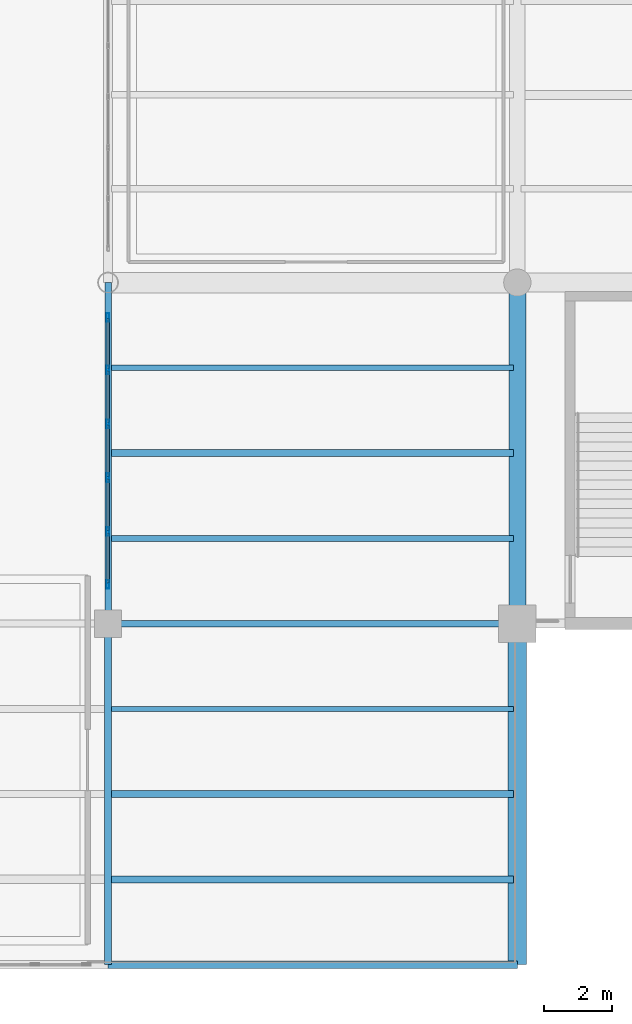
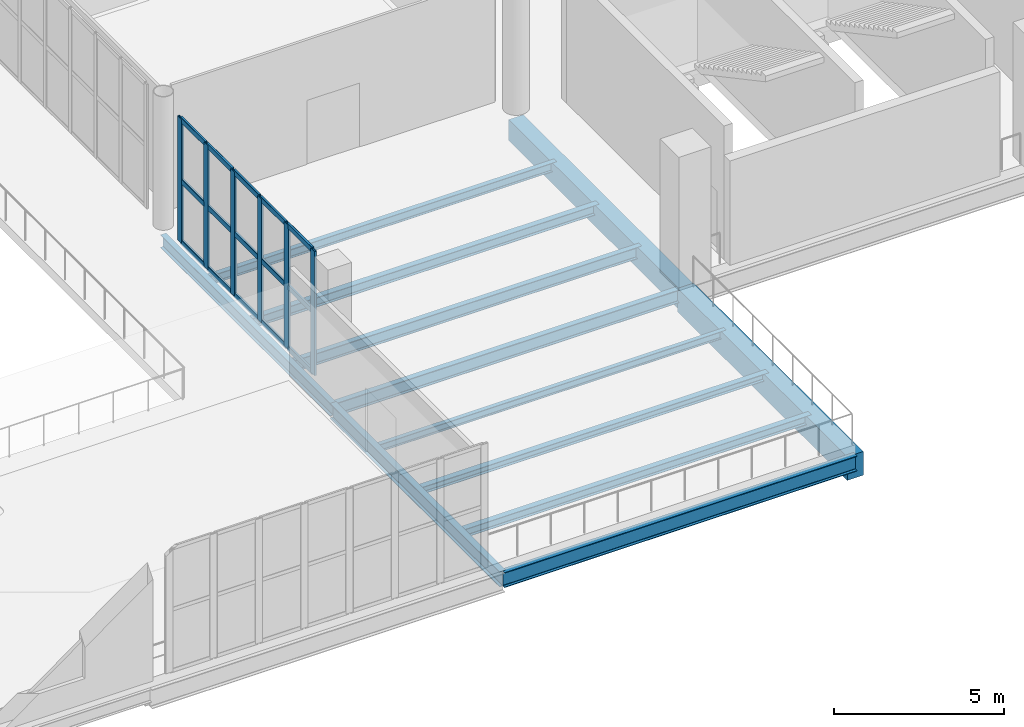
# One storey, part 23 of 136: 21 members, 12 beams, 1 element without a shape of its own.
"""IFC4 building model written with IfcOpenShell, lengths in metres."""

from ifc_helpers import new_model, si_unit, direction, frame, origin, origin_2d, place, context, subcontext, project, spatial, rectangle, hollow_rectangle, i_section, extrude, material, layer, layer_set, material_profile, profile_set, type_object, element, aggregate, save


model = new_model("IFC4")

# Units and contexts
model_context = context("Model", 3, precision=1e-05, world=origin(), true_north=direction((0.0, 1.0)))
body_context = subcontext(model_context, "Body", "Model", "MODEL_VIEW")
ifc_project = project(units=[si_unit("LENGTHUNIT", "METRE"), si_unit("AREAUNIT", "SQUARE_METRE"), si_unit("VOLUMEUNIT", "CUBIC_METRE"), si_unit("PLANEANGLEUNIT", "RADIAN"), si_unit("MASSUNIT", "GRAM", prefix="KILO")], contexts=[model_context])

# Site, building, storey
site_placement = place(None, origin())
site = spatial("IfcSite", under=ifc_project, at=site_placement, CompositionType="ELEMENT")
building_placement = place(site_placement, origin())
building = spatial("IfcBuilding", under=site, at=building_placement, Name="Brinegate Civic Arena", CompositionType="ELEMENT")
storey_placement = place(building_placement, frame((0.0, 0.0, 5.39990234375)))
storey = spatial("IfcBuildingStorey", under=building, at=storey_placement, Name="L01", CompositionType="ELEMENT", Elevation=5.39990234375)

# Curtain wall, members
ifc_material_1 = material(Name="Marine grade aluminium", Category="aluminium")
ifc_layer = layer(ifc_material_1, 0.199951171875, Name="Marine grade aluminium")
ifc_layer_set = layer_set([ifc_layer], Name="Marine grade aluminium")
curtain_wall_type = type_object("IfcCurtainWallType", Name="CW-BOWL-GLAZED-01", PredefinedType="USERDEFINED", material=ifc_layer_set)
curtain_wall_placement = place(storey_placement, origin())
curtain_wall = element("IfcCurtainWall", 1, at=curtain_wall_placement, inside=storey, type_object=curtain_wall_type, Name="Curtain Wall CWA-044", ObjectType="GLAZED CURTAIN WALL", PredefinedType="USERDEFINED")
ifc_material_profile_1 = material_profile(ifc_material_1, hollow_rectangle(XDim=0.074951171875, YDim=0.25, WallThickness=0.006103515625, InnerFilletRadius=0.00390625, OuterFilletRadius=0.008056640625, at=origin_2d()), Name="MUL75X250")
ifc_profile_set_1 = profile_set([ifc_material_profile_1], Name="Marine grade aluminium")
member_type_1 = type_object("IfcMemberType", Name="CW-MULLION-75X250", PredefinedType="MULLION", material=ifc_profile_set_1)
member_1_placement = place(storey_placement, frame((48.0, 11.153564453125, 0.0), z_axis=(0.0, 0.0, 1.0), x_axis=(-1.0, 0.0, 0.0)))
member_1 = element("IfcMember", 2, at=member_1_placement, type_object=member_type_1, Name="CWA-044 mullion 1", PredefinedType="MULLION", context=body_context, shape_type="SweptSolid", body=[
    extrude(hollow_rectangle(XDim=0.074951171875, YDim=0.25, WallThickness=0.006103515625, InnerFilletRadius=0.00390625, OuterFilletRadius=0.008056640625, at=origin_2d()), origin(), (0.0, 0.0, 1.0), 4.47021484375),
])
member_2_placement = place(storey_placement, frame((48.0, 12.696533203125, 0.0), z_axis=(0.0, 0.0, 1.0), x_axis=(-1.0, 0.0, 0.0)))
member_2 = element("IfcMember", 3, at=member_2_placement, type_object=member_type_1, Name="CWA-044 mullion 2", PredefinedType="MULLION", context=body_context, shape_type="SweptSolid", body=[
    extrude(hollow_rectangle(XDim=0.074951171875, YDim=0.25, WallThickness=0.006103515625, InnerFilletRadius=0.00390625, OuterFilletRadius=0.008056640625, at=origin_2d()), origin(), (0.0, 0.0, 1.0), 4.47021484375),
])
member_3_placement = place(storey_placement, frame((48.0, 14.277099609375, 0.0), z_axis=(0.0, 0.0, 1.0), x_axis=(-1.0, 0.0, 0.0)))
member_3 = element("IfcMember", 4, at=member_3_placement, type_object=member_type_1, Name="CWA-044 mullion 3", PredefinedType="MULLION", context=body_context, shape_type="SweptSolid", body=[
    extrude(hollow_rectangle(XDim=0.074951171875, YDim=0.25, WallThickness=0.006103515625, InnerFilletRadius=0.00390625, OuterFilletRadius=0.008056640625, at=origin_2d()), origin(), (0.0, 0.0, 1.0), 4.47021484375),
])
member_4_placement = place(storey_placement, frame((48.0, 15.85791015625, 0.0), z_axis=(0.0, 0.0, 1.0), x_axis=(-1.0, 0.0, 0.0)))
member_4 = element("IfcMember", 5, at=member_4_placement, type_object=member_type_1, Name="CWA-044 mullion 4", PredefinedType="MULLION", context=body_context, shape_type="SweptSolid", body=[
    extrude(hollow_rectangle(XDim=0.074951171875, YDim=0.25, WallThickness=0.006103515625, InnerFilletRadius=0.00390625, OuterFilletRadius=0.008056640625, at=origin_2d()), origin(), (0.0, 0.0, 1.0), 4.47021484375),
])
member_5_placement = place(storey_placement, frame((48.0, 17.4384765625, 0.0), z_axis=(0.0, 0.0, 1.0), x_axis=(-1.0, 0.0, 0.0)))
member_5 = element("IfcMember", 6, at=member_5_placement, type_object=member_type_1, Name="CWA-044 mullion 5", PredefinedType="MULLION", context=body_context, shape_type="SweptSolid", body=[
    extrude(hollow_rectangle(XDim=0.074951171875, YDim=0.25, WallThickness=0.006103515625, InnerFilletRadius=0.00390625, OuterFilletRadius=0.008056640625, at=origin_2d()), origin(), (0.0, 0.0, 1.0), 4.47021484375),
])
member_6_placement = place(storey_placement, frame((48.0, 18.9814453125, 0.0), z_axis=(0.0, 0.0, 1.0), x_axis=(-1.0, 0.0, 0.0)))
member_6 = element("IfcMember", 7, at=member_6_placement, type_object=member_type_1, Name="CWA-044 mullion 6", PredefinedType="MULLION", context=body_context, shape_type="SweptSolid", body=[
    extrude(hollow_rectangle(XDim=0.074951171875, YDim=0.25, WallThickness=0.006103515625, InnerFilletRadius=0.00390625, OuterFilletRadius=0.008056640625, at=origin_2d()), origin(), (0.0, 0.0, 1.0), 4.47021484375),
])
ifc_material_profile_2 = material_profile(ifc_material_1, hollow_rectangle(XDim=0.074951171875, YDim=0.18994140625, WallThickness=0.006103515625, InnerFilletRadius=0.00390625, OuterFilletRadius=0.008056640625, at=origin_2d()), Name="TRN75X190")
ifc_profile_set_2 = profile_set([ifc_material_profile_2], Name="Marine grade aluminium")
member_type_2 = type_object("IfcMemberType", Name="CW-TRANSOM-75X190", PredefinedType="USERDEFINED", material=ifc_profile_set_2)
member_7_placement = place(storey_placement, frame((48.0, 11.19091796875, 0.03759765625), z_axis=(0.0, 1.0, 0.0), x_axis=(-1.0, 0.0, 0.0)))
member_7 = element("IfcMember", 8, at=member_7_placement, type_object=member_type_2, Name="CWA-044 transom 1.1", ObjectType="TRANSOM", PredefinedType="USERDEFINED", context=body_context, shape_type="SweptSolid", body=[
    extrude(hollow_rectangle(XDim=0.074951171875, YDim=0.18994140625, WallThickness=0.006103515625, InnerFilletRadius=0.00390625, OuterFilletRadius=0.008056640625, at=origin_2d()), origin(), (0.0, 0.0, 1.0), 1.46826171875),
])
member_8_placement = place(storey_placement, frame((48.0, 11.19091796875, 2.235107421875), z_axis=(0.0, 1.0, 0.0), x_axis=(-1.0, 0.0, 0.0)))
member_8 = element("IfcMember", 9, at=member_8_placement, type_object=member_type_2, Name="CWA-044 transom 1.2", ObjectType="TRANSOM", PredefinedType="USERDEFINED", context=body_context, shape_type="SweptSolid", body=[
    extrude(hollow_rectangle(XDim=0.074951171875, YDim=0.18994140625, WallThickness=0.006103515625, InnerFilletRadius=0.00390625, OuterFilletRadius=0.008056640625, at=origin_2d()), origin(), (0.0, 0.0, 1.0), 1.46826171875),
])
member_9_placement = place(storey_placement, frame((48.0, 11.19091796875, 4.4326171875), z_axis=(0.0, 1.0, 0.0), x_axis=(-1.0, 0.0, 0.0)))
member_9 = element("IfcMember", 10, at=member_9_placement, type_object=member_type_2, Name="CWA-044 transom 1.3", ObjectType="TRANSOM", PredefinedType="USERDEFINED", context=body_context, shape_type="SweptSolid", body=[
    extrude(hollow_rectangle(XDim=0.074951171875, YDim=0.18994140625, WallThickness=0.006103515625, InnerFilletRadius=0.00390625, OuterFilletRadius=0.008056640625, at=origin_2d()), origin(), (0.0, 0.0, 1.0), 1.46826171875),
])
member_10_placement = place(storey_placement, frame((48.0, 12.734130859375, 0.03759765625), z_axis=(0.0, 1.0, 0.0), x_axis=(-1.0, 0.0, 0.0)))
member_10 = element("IfcMember", 11, at=member_10_placement, type_object=member_type_2, Name="CWA-044 transom 2.1", ObjectType="TRANSOM", PredefinedType="USERDEFINED", context=body_context, shape_type="SweptSolid", body=[
    extrude(hollow_rectangle(XDim=0.074951171875, YDim=0.18994140625, WallThickness=0.006103515625, InnerFilletRadius=0.00390625, OuterFilletRadius=0.008056640625, at=origin_2d()), origin(), (0.0, 0.0, 1.0), 1.505615234375),
])
member_11_placement = place(storey_placement, frame((48.0, 12.734130859375, 2.235107421875), z_axis=(0.0, 1.0, 0.0), x_axis=(-1.0, 0.0, 0.0)))
member_11 = element("IfcMember", 12, at=member_11_placement, type_object=member_type_2, Name="CWA-044 transom 2.2", ObjectType="TRANSOM", PredefinedType="USERDEFINED", context=body_context, shape_type="SweptSolid", body=[
    extrude(hollow_rectangle(XDim=0.074951171875, YDim=0.18994140625, WallThickness=0.006103515625, InnerFilletRadius=0.00390625, OuterFilletRadius=0.008056640625, at=origin_2d()), origin(), (0.0, 0.0, 1.0), 1.505615234375),
])
member_12_placement = place(storey_placement, frame((48.0, 12.734130859375, 4.4326171875), z_axis=(0.0, 1.0, 0.0), x_axis=(-1.0, 0.0, 0.0)))
member_12 = element("IfcMember", 13, at=member_12_placement, type_object=member_type_2, Name="CWA-044 transom 2.3", ObjectType="TRANSOM", PredefinedType="USERDEFINED", context=body_context, shape_type="SweptSolid", body=[
    extrude(hollow_rectangle(XDim=0.074951171875, YDim=0.18994140625, WallThickness=0.006103515625, InnerFilletRadius=0.00390625, OuterFilletRadius=0.008056640625, at=origin_2d()), origin(), (0.0, 0.0, 1.0), 1.505615234375),
])
member_13_placement = place(storey_placement, frame((48.0, 14.314697265625, 0.03759765625), z_axis=(0.0, 1.0, 0.0), x_axis=(-1.0, 0.0, 0.0)))
member_13 = element("IfcMember", 14, at=member_13_placement, type_object=member_type_2, Name="CWA-044 transom 3.1", ObjectType="TRANSOM", PredefinedType="USERDEFINED", context=body_context, shape_type="SweptSolid", body=[
    extrude(hollow_rectangle(XDim=0.074951171875, YDim=0.18994140625, WallThickness=0.006103515625, InnerFilletRadius=0.00390625, OuterFilletRadius=0.008056640625, at=origin_2d()), origin(), (0.0, 0.0, 1.0), 1.505615234375),
])
member_14_placement = place(storey_placement, frame((48.0, 14.314697265625, 2.235107421875), z_axis=(0.0, 1.0, 0.0), x_axis=(-1.0, 0.0, 0.0)))
member_14 = element("IfcMember", 15, at=member_14_placement, type_object=member_type_2, Name="CWA-044 transom 3.2", ObjectType="TRANSOM", PredefinedType="USERDEFINED", context=body_context, shape_type="SweptSolid", body=[
    extrude(hollow_rectangle(XDim=0.074951171875, YDim=0.18994140625, WallThickness=0.006103515625, InnerFilletRadius=0.00390625, OuterFilletRadius=0.008056640625, at=origin_2d()), origin(), (0.0, 0.0, 1.0), 1.505615234375),
])
member_15_placement = place(storey_placement, frame((48.0, 14.314697265625, 4.4326171875), z_axis=(0.0, 1.0, 0.0), x_axis=(-1.0, 0.0, 0.0)))
member_15 = element("IfcMember", 16, at=member_15_placement, type_object=member_type_2, Name="CWA-044 transom 3.3", ObjectType="TRANSOM", PredefinedType="USERDEFINED", context=body_context, shape_type="SweptSolid", body=[
    extrude(hollow_rectangle(XDim=0.074951171875, YDim=0.18994140625, WallThickness=0.006103515625, InnerFilletRadius=0.00390625, OuterFilletRadius=0.008056640625, at=origin_2d()), origin(), (0.0, 0.0, 1.0), 1.505615234375),
])
member_16_placement = place(storey_placement, frame((48.0, 15.895263671875, 0.03759765625), z_axis=(0.0, 1.0, 0.0), x_axis=(-1.0, 0.0, 0.0)))
member_16 = element("IfcMember", 17, at=member_16_placement, type_object=member_type_2, Name="CWA-044 transom 4.1", ObjectType="TRANSOM", PredefinedType="USERDEFINED", context=body_context, shape_type="SweptSolid", body=[
    extrude(hollow_rectangle(XDim=0.074951171875, YDim=0.18994140625, WallThickness=0.006103515625, InnerFilletRadius=0.00390625, OuterFilletRadius=0.008056640625, at=origin_2d()), origin(), (0.0, 0.0, 1.0), 1.505615234375),
])
member_17_placement = place(storey_placement, frame((48.0, 15.895263671875, 2.235107421875), z_axis=(0.0, 1.0, 0.0), x_axis=(-1.0, 0.0, 0.0)))
member_17 = element("IfcMember", 18, at=member_17_placement, type_object=member_type_2, Name="CWA-044 transom 4.2", ObjectType="TRANSOM", PredefinedType="USERDEFINED", context=body_context, shape_type="SweptSolid", body=[
    extrude(hollow_rectangle(XDim=0.074951171875, YDim=0.18994140625, WallThickness=0.006103515625, InnerFilletRadius=0.00390625, OuterFilletRadius=0.008056640625, at=origin_2d()), origin(), (0.0, 0.0, 1.0), 1.505615234375),
])
member_18_placement = place(storey_placement, frame((48.0, 15.895263671875, 4.4326171875), z_axis=(0.0, 1.0, 0.0), x_axis=(-1.0, 0.0, 0.0)))
member_18 = element("IfcMember", 19, at=member_18_placement, type_object=member_type_2, Name="CWA-044 transom 4.3", ObjectType="TRANSOM", PredefinedType="USERDEFINED", context=body_context, shape_type="SweptSolid", body=[
    extrude(hollow_rectangle(XDim=0.074951171875, YDim=0.18994140625, WallThickness=0.006103515625, InnerFilletRadius=0.00390625, OuterFilletRadius=0.008056640625, at=origin_2d()), origin(), (0.0, 0.0, 1.0), 1.505615234375),
])
member_19_placement = place(storey_placement, frame((48.0, 17.475830078125, 0.03759765625), z_axis=(0.0, 1.0, 0.0), x_axis=(-1.0, 0.0, 0.0)))
member_19 = element("IfcMember", 20, at=member_19_placement, type_object=member_type_2, Name="CWA-044 transom 5.1", ObjectType="TRANSOM", PredefinedType="USERDEFINED", context=body_context, shape_type="SweptSolid", body=[
    extrude(hollow_rectangle(XDim=0.074951171875, YDim=0.18994140625, WallThickness=0.006103515625, InnerFilletRadius=0.00390625, OuterFilletRadius=0.008056640625, at=origin_2d()), origin(), (0.0, 0.0, 1.0), 1.46826171875),
])
member_20_placement = place(storey_placement, frame((48.0, 17.475830078125, 2.235107421875), z_axis=(0.0, 1.0, 0.0), x_axis=(-1.0, 0.0, 0.0)))
member_20 = element("IfcMember", 21, at=member_20_placement, type_object=member_type_2, Name="CWA-044 transom 5.2", ObjectType="TRANSOM", PredefinedType="USERDEFINED", context=body_context, shape_type="SweptSolid", body=[
    extrude(hollow_rectangle(XDim=0.074951171875, YDim=0.18994140625, WallThickness=0.006103515625, InnerFilletRadius=0.00390625, OuterFilletRadius=0.008056640625, at=origin_2d()), origin(), (0.0, 0.0, 1.0), 1.46826171875),
])
member_21_placement = place(storey_placement, frame((48.0, 17.475830078125, 4.4326171875), z_axis=(0.0, 1.0, 0.0), x_axis=(-1.0, 0.0, 0.0)))
member_21 = element("IfcMember", 22, at=member_21_placement, type_object=member_type_2, Name="CWA-044 transom 5.3", ObjectType="TRANSOM", PredefinedType="USERDEFINED", context=body_context, shape_type="SweptSolid", body=[
    extrude(hollow_rectangle(XDim=0.074951171875, YDim=0.18994140625, WallThickness=0.006103515625, InnerFilletRadius=0.00390625, OuterFilletRadius=0.008056640625, at=origin_2d()), origin(), (0.0, 0.0, 1.0), 1.46826171875),
])
aggregate(curtain_wall, [member_1, member_2, member_3, member_4, member_5, member_6, member_7, member_8, member_9, member_10, member_11, member_12, member_13, member_14, member_15, member_16, member_17, member_18, member_19, member_20, member_21])

# Beams
ifc_material_2 = material(Name="Steel S355", Category="steel")
ifc_material_profile_3 = material_profile(ifc_material_2, i_section(OverallWidth=0.14794921875, OverallDepth=0.26611328125, WebThickness=0.008056640625, FlangeThickness=0.012939453125, FilletRadius=0.011962890625, at=origin_2d()), Name="W250X45")
ifc_profile_set_3 = profile_set([ifc_material_profile_3], Name="Steel S355")
beam_type_1 = type_object("IfcBeamType", Name="JOIST-W250X45", PredefinedType="JOIST", material=ifc_profile_set_3)
beam_1_placement = place(storey_placement, frame((48.10595703125, 7.5, -0.472900390625), z_axis=(1.0, 0.0, 0.0), x_axis=(0.0, 1.0, 0.0)))
element("IfcBeam", 23, at=beam_1_placement, inside=storey, type_object=beam_type_1, Name="Secondary Joist BM-L01-JX-04-00-3", PredefinedType="JOIST", context=body_context, shape_type="SweptSolid", body=[
    extrude(i_section(OverallWidth=0.14794921875, OverallDepth=0.26611328125, WebThickness=0.008056640625, FlangeThickness=0.012939453125, FilletRadius=0.011962890625, at=origin_2d()), origin(), (0.0, 0.0, 1.0), 11.7880859375),
])
ifc_material_profile_4 = material_profile(ifc_material_2, i_section(OverallWidth=0.202880859375, OverallDepth=0.251953125, WebThickness=0.008056640625, FlangeThickness=0.013916015625, FilletRadius=0.011962890625, at=origin_2d()), Name="W250X58")
ifc_profile_set_4 = profile_set([ifc_material_profile_4], Name="Steel S355")
beam_type_2 = type_object("IfcBeamType", Name="JOIST-W250X58", PredefinedType="JOIST", material=ifc_profile_set_4)
beam_2_placement = place(storey_placement, frame((48.10595703125, 5.0, -0.4658203125), z_axis=(1.0, 0.0, 0.0), x_axis=(0.0, 1.0, 0.0)))
element("IfcBeam", 24, at=beam_2_placement, inside=storey, type_object=beam_type_2, Name="Secondary Joist BM-L01-JX-04-00-2", PredefinedType="JOIST", context=body_context, shape_type="SweptSolid", body=[
    extrude(i_section(OverallWidth=0.202880859375, OverallDepth=0.251953125, WebThickness=0.008056640625, FlangeThickness=0.013916015625, FilletRadius=0.011962890625, at=origin_2d()), origin(), (0.0, 0.0, 1.0), 11.7880859375),
])
ifc_material_profile_5 = material_profile(ifc_material_2, i_section(OverallWidth=0.1669921875, OverallDepth=0.31689453125, WebThickness=0.008056640625, FlangeThickness=0.012939453125, FilletRadius=0.012939453125, at=origin_2d()), Name="W310X52")
ifc_profile_set_5 = profile_set([ifc_material_profile_5], Name="Steel S355")
beam_type_3 = type_object("IfcBeamType", Name="JOIST-W310X52", PredefinedType="JOIST", material=ifc_profile_set_5)
beam_3_placement = place(storey_placement, frame((48.10595703125, 17.5, -0.497802734375), z_axis=(1.0, 0.0, 0.0), x_axis=(0.0, 1.0, 0.0)))
element("IfcBeam", 25, at=beam_3_placement, inside=storey, type_object=beam_type_3, Name="Secondary Joist BM-L01-JX-04-01-3", PredefinedType="JOIST", context=body_context, shape_type="SweptSolid", body=[
    extrude(i_section(OverallWidth=0.1669921875, OverallDepth=0.31689453125, WebThickness=0.008056640625, FlangeThickness=0.012939453125, FilletRadius=0.012939453125, at=origin_2d()), origin(), (0.0, 0.0, 1.0), 11.7880859375),
])
ifc_material_profile_6 = material_profile(ifc_material_2, i_section(OverallWidth=0.202880859375, OverallDepth=0.302978515625, WebThickness=0.008056640625, FlangeThickness=0.012939453125, FilletRadius=0.012939453125, at=origin_2d()), Name="W310X60")
ifc_profile_set_6 = profile_set([ifc_material_profile_6], Name="Steel S355")
beam_type_4 = type_object("IfcBeamType", Name="JOIST-W310X60", PredefinedType="JOIST", material=ifc_profile_set_6)
beam_4_placement = place(storey_placement, frame((48.10595703125, 2.5, -0.490966796875), z_axis=(1.0, 0.0, 0.0), x_axis=(0.0, 1.0, 0.0)))
element("IfcBeam", 26, at=beam_4_placement, inside=storey, type_object=beam_type_4, Name="Secondary Joist BM-L01-JX-04-00-1", PredefinedType="JOIST", context=body_context, shape_type="SweptSolid", body=[
    extrude(i_section(OverallWidth=0.202880859375, OverallDepth=0.302978515625, WebThickness=0.008056640625, FlangeThickness=0.012939453125, FilletRadius=0.012939453125, at=origin_2d()), origin(), (0.0, 0.0, 1.0), 11.7880859375),
])
ifc_material_profile_7 = material_profile(ifc_material_2, i_section(OverallWidth=0.202880859375, OverallDepth=0.346923828125, WebThickness=0.008056640625, FlangeThickness=0.013916015625, FilletRadius=0.013916015625, at=origin_2d()), Name="W360X64")
ifc_profile_set_7 = profile_set([ifc_material_profile_7], Name="Steel S355")
beam_type_5 = type_object("IfcBeamType", Name="JOIST-W360X64", PredefinedType="JOIST", material=ifc_profile_set_7)
beam_5_placement = place(storey_placement, frame((48.10595703125, 15.0, -0.512939453125), z_axis=(1.0, 0.0, 0.0), x_axis=(0.0, 1.0, 0.0)))
element("IfcBeam", 27, at=beam_5_placement, inside=storey, type_object=beam_type_5, Name="Secondary Joist BM-L01-JX-04-01-2", PredefinedType="JOIST", context=body_context, shape_type="SweptSolid", body=[
    extrude(i_section(OverallWidth=0.202880859375, OverallDepth=0.346923828125, WebThickness=0.008056640625, FlangeThickness=0.013916015625, FilletRadius=0.013916015625, at=origin_2d()), origin(), (0.0, 0.0, 1.0), 11.7880859375),
])
ifc_material_profile_8 = material_profile(ifc_material_2, i_section(OverallWidth=0.179931640625, OverallDepth=0.4130859375, WebThickness=0.010009765625, FlangeThickness=0.01611328125, FilletRadius=0.013916015625, at=origin_2d()), Name="W410X75")
ifc_profile_set_8 = profile_set([ifc_material_profile_8], Name="Steel S355")
beam_type_6 = type_object("IfcBeamType", Name="JOIST-W410X75", PredefinedType="JOIST", material=ifc_profile_set_8)
beam_6_placement = place(storey_placement, frame((48.10595703125, 12.5, -0.5458984375), z_axis=(1.0, 0.0, 0.0), x_axis=(0.0, 1.0, 0.0)))
element("IfcBeam", 28, at=beam_6_placement, inside=storey, type_object=beam_type_6, Name="Secondary Joist BM-L01-JX-04-01-1", PredefinedType="JOIST", context=body_context, shape_type="SweptSolid", body=[
    extrude(i_section(OverallWidth=0.179931640625, OverallDepth=0.4130859375, WebThickness=0.010009765625, FlangeThickness=0.01611328125, FilletRadius=0.013916015625, at=origin_2d()), origin(), (0.0, 0.0, 1.0), 11.7880859375),
])
ifc_material_3 = material(Name="Concrete C50/60", Category="concrete")
ifc_material_profile_9 = material_profile(ifc_material_3, rectangle(XDim=0.5, YDim=0.75, at=origin_2d()), Name="RCB500X750")
ifc_profile_set_9 = profile_set([ifc_material_profile_9], Name="Concrete C50/60")
beam_type_7 = type_object("IfcBeamType", Name="RCG-500X750", PredefinedType="BEAM", material=ifc_profile_set_9)
beam_7_placement = place(storey_placement, frame((60.0, 10.0, -0.71484375), z_axis=(0.0, 1.0, 0.0), x_axis=(-1.0, 0.0, 0.0)))
element("IfcBeam", 29, at=beam_7_placement, inside=storey, type_object=beam_type_7, Name="Floor Girder BM-L01-GY-05-01", PredefinedType="BEAM", context=body_context, shape_type="SweptSolid", body=[
    extrude(rectangle(XDim=0.5, YDim=0.75, at=origin_2d()), origin(), (0.0, 0.0, 1.0), 10.0),
])
ifc_material_profile_10 = material_profile(ifc_material_3, rectangle(XDim=0.550048828125, YDim=0.85009765625, at=origin_2d()), Name="RCB550X850")
ifc_profile_set_10 = profile_set([ifc_material_profile_10], Name="Concrete C50/60")
beam_type_8 = type_object("IfcBeamType", Name="RCG-550X850", PredefinedType="BEAM", material=ifc_profile_set_10)
beam_8_placement = place(storey_placement, frame((60.0, 0.0, -0.764892578125), z_axis=(0.0, 1.0, 0.0), x_axis=(-1.0, 0.0, 0.0)))
element("IfcBeam", 30, at=beam_8_placement, inside=storey, type_object=beam_type_8, Name="Floor Girder BM-L01-GY-05-00", PredefinedType="BEAM", context=body_context, shape_type="SweptSolid", body=[
    extrude(rectangle(XDim=0.550048828125, YDim=0.85009765625, at=origin_2d()), origin(), (0.0, 0.0, 1.0), 10.0),
])
ifc_material_profile_11 = material_profile(ifc_material_2, i_section(OverallWidth=0.193115234375, OverallDepth=0.466064453125, WebThickness=0.010986328125, FlangeThickness=0.01904296875, FilletRadius=0.014892578125, at=origin_2d()), Name="W460X97")
ifc_profile_set_11 = profile_set([ifc_material_profile_11], Name="Steel S355")
beam_type_9 = type_object("IfcBeamType", Name="SPANDREL-W460X97", PredefinedType="SPANDREL", material=ifc_profile_set_11)
beam_9_placement = place(storey_placement, frame((48.0, 10.0, -0.572998046875), z_axis=(1.0, 0.0, 0.0), x_axis=(0.0, 1.0, 0.0)))
element("IfcBeam", 31, at=beam_9_placement, inside=storey, type_object=beam_type_9, Name="Floor Girder BM-L01-GX-04-01", PredefinedType="SPANDREL", context=body_context, shape_type="SweptSolid", body=[
    extrude(i_section(OverallWidth=0.193115234375, OverallDepth=0.466064453125, WebThickness=0.010986328125, FlangeThickness=0.01904296875, FilletRadius=0.014892578125, at=origin_2d()), origin(), (0.0, 0.0, 1.0), 12.0),
])
beam_10_placement = place(storey_placement, frame((48.0, 10.0, -0.572998046875), z_axis=(0.0, 1.0, 0.0), x_axis=(-1.0, 0.0, 0.0)))
element("IfcBeam", 32, at=beam_10_placement, inside=storey, type_object=beam_type_9, Name="Floor Girder BM-L01-GY-04-01", PredefinedType="SPANDREL", context=body_context, shape_type="SweptSolid", body=[
    extrude(i_section(OverallWidth=0.193115234375, OverallDepth=0.466064453125, WebThickness=0.010986328125, FlangeThickness=0.01904296875, FilletRadius=0.014892578125, at=origin_2d()), origin(), (0.0, 0.0, 1.0), 10.0),
])
ifc_material_profile_12 = material_profile(ifc_material_2, i_section(OverallWidth=0.2119140625, OverallDepth=0.5439453125, WebThickness=0.012939453125, FlangeThickness=0.02099609375, FilletRadius=0.01611328125, at=origin_2d()), Name="W530X123")
ifc_profile_set_12 = profile_set([ifc_material_profile_12], Name="Steel S355")
beam_type_10 = type_object("IfcBeamType", Name="SPANDREL-W530X123", PredefinedType="SPANDREL", material=ifc_profile_set_12)
beam_11_placement = place(storey_placement, frame((48.0, 0.0, -0.61181640625), z_axis=(1.0, 0.0, 0.0), x_axis=(0.0, 1.0, 0.0)))
element("IfcBeam", 33, at=beam_11_placement, inside=storey, type_object=beam_type_10, Name="Floor Girder BM-L01-GX-04-00", PredefinedType="SPANDREL", context=body_context, shape_type="SweptSolid", body=[
    extrude(i_section(OverallWidth=0.2119140625, OverallDepth=0.5439453125, WebThickness=0.012939453125, FlangeThickness=0.02099609375, FilletRadius=0.01611328125, at=origin_2d()), origin(), (0.0, 0.0, 1.0), 12.0),
])
beam_12_placement = place(storey_placement, frame((48.0, 0.0, -0.61181640625), z_axis=(0.0, 1.0, 0.0), x_axis=(-1.0, 0.0, 0.0)))
element("IfcBeam", 34, at=beam_12_placement, inside=storey, type_object=beam_type_10, Name="Floor Girder BM-L01-GY-04-00", PredefinedType="SPANDREL", context=body_context, shape_type="SweptSolid", body=[
    extrude(i_section(OverallWidth=0.2119140625, OverallDepth=0.5439453125, WebThickness=0.012939453125, FlangeThickness=0.02099609375, FilletRadius=0.01611328125, at=origin_2d()), origin(), (0.0, 0.0, 1.0), 10.0),
])

save(model, "model.ifc")
